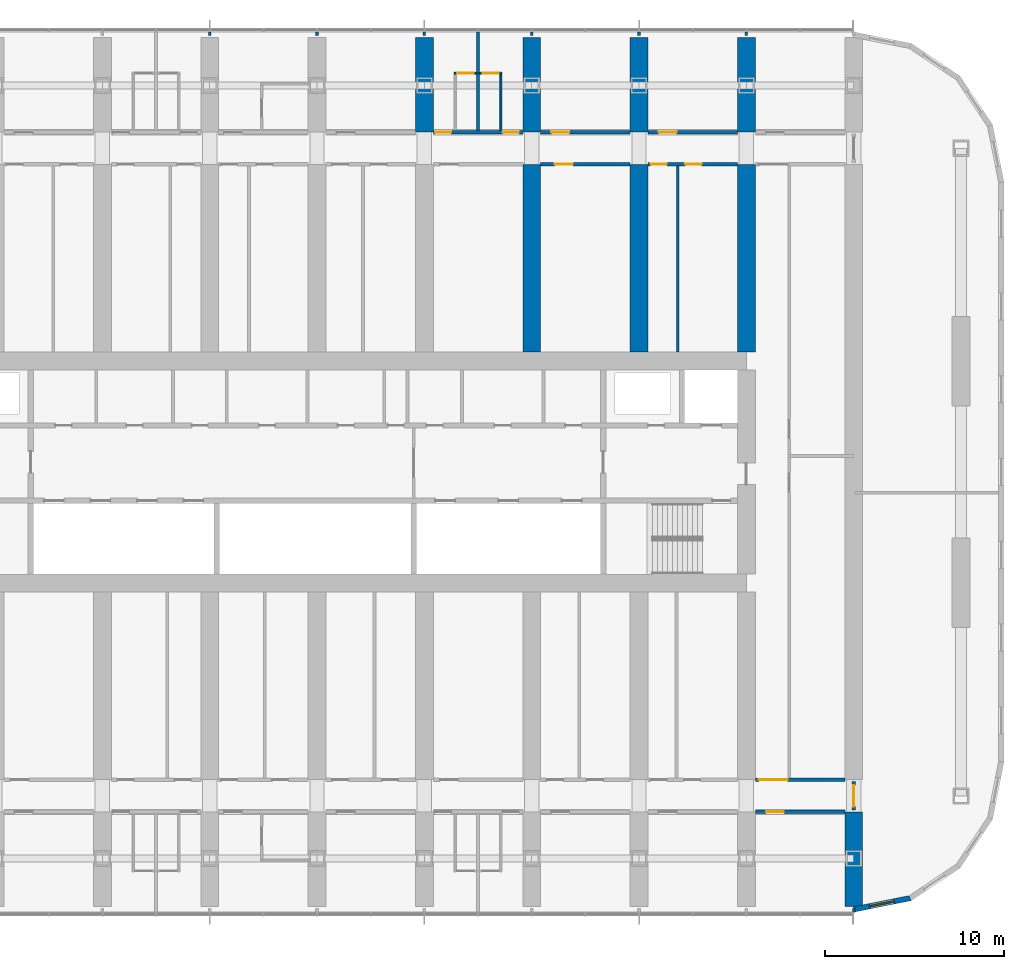
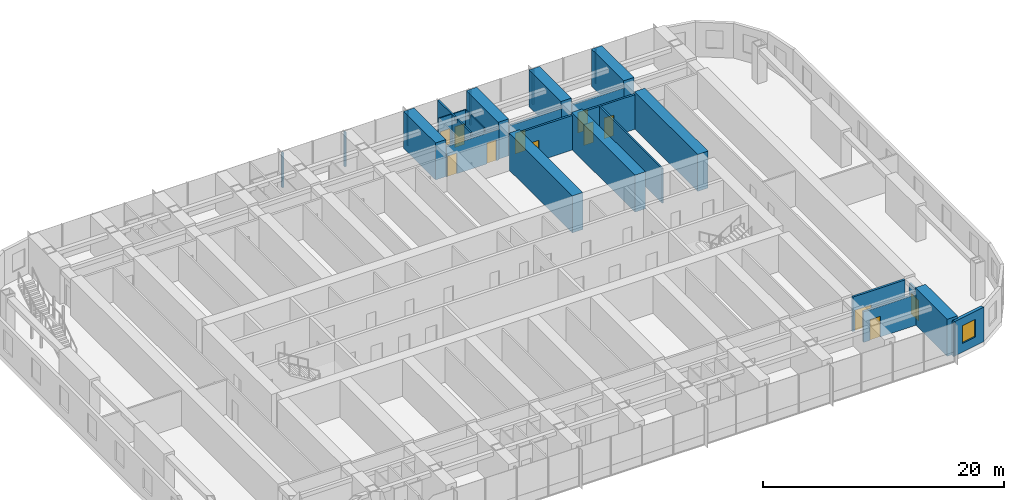
# One storey, part 18 of 26: 29 walls, 12 doors, 1 window, 13 openings.
"""IFC4 building model written with IfcOpenShell, lengths in metres."""

from ifc_helpers import new_model, si_unit, direction, frame, frame_2d, origin, place, context, subcontext, project, spatial, polyline, rectangle, outline, extrude, material, layer, layer_set, type_object, element, fill, save


model = new_model("IFC4")

# Units and contexts
model_context = context("Model", 3, precision=1e-05, world=origin(), true_north=direction((0.0, 1.0)))
body_context = subcontext(model_context, "Body", "Model", "MODEL_VIEW")
ifc_project = project(units=[si_unit("LENGTHUNIT", "METRE"), si_unit("AREAUNIT", "SQUARE_METRE"), si_unit("VOLUMEUNIT", "CUBIC_METRE"), si_unit("PLANEANGLEUNIT", "RADIAN"), si_unit("MASSUNIT", "GRAM", prefix="KILO")], contexts=[model_context])

# Site, building, storey
site_placement = place(None, origin())
site = spatial("IfcSite", under=ifc_project, at=site_placement, CompositionType="ELEMENT")
building_placement = place(site_placement, origin())
building = spatial("IfcBuilding", under=site, at=building_placement, Name="Orbita Commons", CompositionType="ELEMENT")
storey_placement = place(building_placement, frame((0.0, 0.0, 53.949951171875)))
storey = spatial("IfcBuildingStorey", under=building, at=storey_placement, Name="L13", CompositionType="ELEMENT", Elevation=53.949951171875)

# Wall, opening, door
ifc_material_1 = material(Name="Concrete blockwork", Category="masonry")
ifc_layer_1 = layer(ifc_material_1, 0.199951171875)
ifc_layer_set_1 = layer_set([ifc_layer_1], Name="Concrete blockwork")
wall_type_1 = type_object("IfcWallType", Name="Corridor wall 200 blockwork", PredefinedType="SOLIDWALL", material=ifc_layer_set_1)
wall_1_placement = place(storey_placement, frame((66.5, 13.0, 0.0), z_axis=(0.0, 0.0, 1.0), x_axis=(1.0, 0.0, 0.0)))
wall_1 = element("IfcWall", 1, at=wall_1_placement, inside=storey, type_object=wall_type_1, Name="Corridor wall 200 blockwork L13", PredefinedType="SOLIDWALL", context=body_context, shape_type="SweptSolid", body=[
    extrude(outline(polyline([(0.0, 0.0), (5.0, 0.0), (5.0, 3.10009765625), (0.0, 3.10009765625), (0.0, 0.0)])), frame((0.0, 0.10009765625, 0.0), z_axis=(0.0, -1.0, 0.0), x_axis=(1.0, 0.0, 0.0)), (0.0, 0.0, 1.0), 0.199951171875),
])
opening_1_placement = place(wall_1_placement, frame((0.60009765625, 0.0, 0.0)))
opening_1 = element("IfcOpeningElement", 2, at=opening_1_placement, cuts=wall_1, Name="Opening D06", PredefinedType="OPENING", context=body_context, shape_type="SweptSolid", body=[
    extrude(rectangle(XDim=1.0, YDim=2.10009765625, at=frame_2d((0.5, 1.050048828125))), frame((0.0, 0.10986328125, 0.0), z_axis=(0.0, -1.0, 0.0), x_axis=(1.0, 0.0, 0.0)), (0.0, 0.0, 1.0), 0.219970703125),
])
ifc_material_2 = material(Name="Steel-faced fire door leaf", Category="steel")
door_type_1 = type_object("IfcDoorType", Name="Corridor door 20 min 1000x2100", OperationType="SINGLE_SWING_LEFT", PredefinedType="DOOR", material=ifc_material_2)
door_1_placement = place(opening_1_placement, origin())
door_1 = element("IfcDoor", 3, at=door_1_placement, inside=storey, type_object=door_type_1, Name="House study room L13-S18 door", OperationType="SINGLE_SWING_LEFT", OverallHeight=2.10009765625, OverallWidth=1.0, PredefinedType="DOOR", context=body_context, shape_type="SweptSolid", body=[
    extrude(rectangle(XDim=1.0, YDim=2.10009765625, at=frame_2d((0.5, 1.050048828125))), frame((0.0, 0.02490234375, 0.0), z_axis=(0.0, -1.0, 0.0), x_axis=(1.0, 0.0, 0.0)), (0.0, 0.0, 1.0), 0.050048828125),
])
fill(opening_1, door_1)

# Wall, openings, doors
wall_2_placement = place(storey_placement, frame((48.5, 51.0, 0.0), z_axis=(0.0, 0.0, 1.0), x_axis=(1.0, 0.0, 0.0)))
wall_2 = element("IfcWall", 4, at=wall_2_placement, inside=storey, type_object=wall_type_1, Name="Corridor wall 200 blockwork L13", PredefinedType="SOLIDWALL", context=body_context, shape_type="SweptSolid", body=[
    extrude(outline(polyline([(0.0, 0.0), (5.0, 0.0), (5.0, 3.10009765625), (0.0, 3.10009765625), (0.0, 0.0)])), frame((0.0, 0.10009765625, 0.0), z_axis=(0.0, -1.0, 0.0), x_axis=(1.0, 0.0, 0.0)), (0.0, 0.0, 1.0), 0.199951171875),
])
opening_2_placement = place(wall_2_placement, frame((0.10009765625, 0.0, 0.0)))
opening_2 = element("IfcOpeningElement", 5, at=opening_2_placement, cuts=wall_2, Name="Opening D11", PredefinedType="OPENING", context=body_context, shape_type="SweptSolid", body=[
    extrude(rectangle(XDim=0.89990234375, YDim=2.10009765625, at=frame_2d((0.449951171875, 1.050048828125))), frame((0.0, 0.10986328125, 0.0), z_axis=(0.0, -1.0, 0.0), x_axis=(1.0, 0.0, 0.0)), (0.0, 0.0, 1.0), 0.219970703125),
])
opening_3_placement = place(wall_2_placement, frame((3.875, 0.0, 0.0)))
opening_3 = element("IfcOpeningElement", 6, at=opening_3_placement, cuts=wall_2, Name="Opening D11", PredefinedType="OPENING", context=body_context, shape_type="SweptSolid", body=[
    extrude(rectangle(XDim=0.89990234375, YDim=2.10009765625, at=frame_2d((0.449951171875, 1.050048828125))), frame((0.0, 0.10986328125, 0.0), z_axis=(0.0, -1.0, 0.0), x_axis=(1.0, 0.0, 0.0)), (0.0, 0.0, 1.0), 0.219970703125),
])
ifc_material_3 = material(Name="Steel-faced fire door leaf", Category="steel")
door_type_2 = type_object("IfcDoorType", Name="Corridor door 20 min 900x2100", OperationType="SINGLE_SWING_LEFT", PredefinedType="DOOR", material=ifc_material_3)
door_2_placement = place(opening_2_placement, origin())
door_2 = element("IfcDoor", 7, at=door_2_placement, inside=storey, type_object=door_type_2, Name="House bedroom L13-N12 door", OperationType="SINGLE_SWING_LEFT", OverallHeight=2.10009765625, OverallWidth=0.89990234375, PredefinedType="DOOR", context=body_context, shape_type="SweptSolid", body=[
    extrude(rectangle(XDim=0.89990234375, YDim=2.10009765625, at=frame_2d((0.449951171875, 1.050048828125))), frame((0.0, 0.02490234375, 0.0), z_axis=(0.0, -1.0, 0.0), x_axis=(1.0, 0.0, 0.0)), (0.0, 0.0, 1.0), 0.050048828125),
])
fill(opening_2, door_2)
door_3_placement = place(opening_3_placement, origin())
door_3 = element("IfcDoor", 8, at=door_3_placement, inside=storey, type_object=door_type_2, Name="House bedroom L13-N13 door", OperationType="SINGLE_SWING_LEFT", OverallHeight=2.10009765625, OverallWidth=0.89990234375, PredefinedType="DOOR", context=body_context, shape_type="SweptSolid", body=[
    extrude(rectangle(XDim=0.89990234375, YDim=2.10009765625, at=frame_2d((0.449951171875, 1.050048828125))), frame((0.0, 0.02490234375, 0.0), z_axis=(0.0, -1.0, 0.0), x_axis=(1.0, 0.0, 0.0)), (0.0, 0.0, 1.0), 0.050048828125),
])
fill(opening_3, door_3)

# Wall, opening, door
wall_3_placement = place(storey_placement, frame((54.5, 51.0, 0.0), z_axis=(0.0, 0.0, 1.0), x_axis=(1.0, 0.0, 0.0)))
wall_3 = element("IfcWall", 9, at=wall_3_placement, inside=storey, type_object=wall_type_1, Name="Corridor wall 200 blockwork L13", PredefinedType="SOLIDWALL", context=body_context, shape_type="SweptSolid", body=[
    extrude(outline(polyline([(0.0, 0.0), (5.0, 0.0), (5.0, 3.10009765625), (0.0, 3.10009765625), (0.0, 0.0)])), frame((0.0, 0.10009765625, 0.0), z_axis=(0.0, -1.0, 0.0), x_axis=(1.0, 0.0, 0.0)), (0.0, 0.0, 1.0), 0.199951171875),
])
opening_4_placement = place(wall_3_placement, frame((0.60009765625, 0.0, 0.0)))
opening_4 = element("IfcOpeningElement", 10, at=opening_4_placement, cuts=wall_3, Name="Opening D06", PredefinedType="OPENING", context=body_context, shape_type="SweptSolid", body=[
    extrude(rectangle(XDim=1.0, YDim=2.10009765625, at=frame_2d((0.5, 1.050048828125))), frame((0.0, 0.10986328125, 0.0), z_axis=(0.0, -1.0, 0.0), x_axis=(1.0, 0.0, 0.0)), (0.0, 0.0, 1.0), 0.219970703125),
])
door_4_placement = place(opening_4_placement, origin())
door_4 = element("IfcDoor", 11, at=door_4_placement, inside=storey, type_object=door_type_1, Name="House common room L13-N14 door", OperationType="SINGLE_SWING_LEFT", OverallHeight=2.10009765625, OverallWidth=1.0, PredefinedType="DOOR", context=body_context, shape_type="SweptSolid", body=[
    extrude(rectangle(XDim=1.0, YDim=2.10009765625, at=frame_2d((0.5, 1.050048828125))), frame((0.0, 0.02490234375, 0.0), z_axis=(0.0, -1.0, 0.0), x_axis=(1.0, 0.0, 0.0)), (0.0, 0.0, 1.0), 0.050048828125),
])
fill(opening_4, door_4)

wall_4_placement = place(storey_placement, frame((60.5, 51.0, 0.0), z_axis=(0.0, 0.0, 1.0), x_axis=(1.0, 0.0, 0.0)))
wall_4 = element("IfcWall", 12, at=wall_4_placement, inside=storey, type_object=wall_type_1, Name="Corridor wall 200 blockwork L13", PredefinedType="SOLIDWALL", context=body_context, shape_type="SweptSolid", body=[
    extrude(outline(polyline([(0.0, 0.0), (5.0, 0.0), (5.0, 3.10009765625), (0.0, 3.10009765625), (0.0, 0.0)])), frame((0.0, 0.10009765625, 0.0), z_axis=(0.0, -1.0, 0.0), x_axis=(1.0, 0.0, 0.0)), (0.0, 0.0, 1.0), 0.199951171875),
])
opening_5_placement = place(wall_4_placement, frame((0.60009765625, 0.0, 0.0)))
opening_5 = element("IfcOpeningElement", 13, at=opening_5_placement, cuts=wall_4, Name="Opening D06", PredefinedType="OPENING", context=body_context, shape_type="SweptSolid", body=[
    extrude(rectangle(XDim=1.0, YDim=2.10009765625, at=frame_2d((0.5, 1.050048828125))), frame((0.0, 0.10986328125, 0.0), z_axis=(0.0, -1.0, 0.0), x_axis=(1.0, 0.0, 0.0)), (0.0, 0.0, 1.0), 0.219970703125),
])
door_5_placement = place(opening_5_placement, origin())
door_5 = element("IfcDoor", 14, at=door_5_placement, inside=storey, type_object=door_type_1, Name="House kitchen-diner L13-N16 door", OperationType="SINGLE_SWING_LEFT", OverallHeight=2.10009765625, OverallWidth=1.0, PredefinedType="DOOR", context=body_context, shape_type="SweptSolid", body=[
    extrude(rectangle(XDim=1.0, YDim=2.10009765625, at=frame_2d((0.5, 1.050048828125))), frame((0.0, 0.02490234375, 0.0), z_axis=(0.0, -1.0, 0.0), x_axis=(1.0, 0.0, 0.0)), (0.0, 0.0, 1.0), 0.050048828125),
])
fill(opening_5, door_5)

wall_5_placement = place(storey_placement, frame((72.0, 13.10009765625, 0.0), z_axis=(0.0, 0.0, 1.0), x_axis=(0.0, 1.0, 0.0)))
wall_5 = element("IfcWall", 15, at=wall_5_placement, inside=storey, type_object=wall_type_1, Name="Corridor wall 200 blockwork L13", PredefinedType="SOLIDWALL", context=body_context, shape_type="SweptSolid", body=[
    extrude(outline(polyline([(0.0, 0.0), (1.599853515625, 0.0), (1.60009765625, 3.050048828125), (0.0, 3.050048828125), (0.0, 0.0)])), frame((0.0, 0.10009765625, 0.0), z_axis=(0.0, -1.0, 0.0), x_axis=(1.0, 0.0, 0.0)), (0.0, 0.0, 1.0), 0.199951171875),
])
opening_6_placement = place(wall_5_placement, frame((0.199951171875, 0.0, 0.0)))
opening_6 = element("IfcOpeningElement", 16, at=opening_6_placement, cuts=wall_5, Name="Opening D12", PredefinedType="OPENING", context=body_context, shape_type="SweptSolid", body=[
    extrude(rectangle(XDim=1.199951171875, YDim=2.10009765625, at=frame_2d((0.60009765625, 1.050048828125))), frame((0.0, 0.10986328125, 0.0), z_axis=(0.0, -1.0, 0.0), x_axis=(1.0, 0.0, 0.0)), (0.0, 0.0, 1.0), 0.219970703125),
])
ifc_material_4 = material(Name="Steel-faced fire door leaf", Category="steel")
door_type_3 = type_object("IfcDoorType", Name="Double corridor door 20 min 1200x2100", OperationType="DOUBLE_DOOR_SINGLE_SWING", PredefinedType="DOOR", material=ifc_material_4)
door_6_placement = place(opening_6_placement, origin())
door_6 = element("IfcDoor", 17, at=door_6_placement, inside=storey, type_object=door_type_3, Name="Lounge doors", OperationType="DOUBLE_DOOR_SINGLE_SWING", OverallHeight=2.10009765625, OverallWidth=1.199951171875, PredefinedType="DOOR", context=body_context, shape_type="SweptSolid", body=[
    extrude(rectangle(XDim=1.199951171875, YDim=2.10009765625, at=frame_2d((0.60009765625, 1.050048828125))), frame((0.0, 0.02490234375, 0.0), z_axis=(0.0, -1.0, 0.0), x_axis=(1.0, 0.0, 0.0)), (0.0, 0.0, 1.0), 0.050048828125),
])
fill(opening_6, door_6)

ifc_material_5 = material(Name="Hollow concrete block 200", Category="concrete")
ifc_layer_2 = layer(ifc_material_5, 0.199951171875)
ifc_layer_set_2 = layer_set([ifc_layer_2], Name="Hollow concrete block 200")
wall_type_2 = type_object("IfcWallType", Name="Corridor wall 200 hollow concrete block", PredefinedType="SOLIDWALL", material=ifc_layer_set_2)
wall_6_placement = place(storey_placement, frame((66.5, 14.800048828125, 0.0), z_axis=(0.0, 0.0, 1.0), x_axis=(1.0, 0.0, 0.0)))
wall_6 = element("IfcWall", 18, at=wall_6_placement, inside=storey, type_object=wall_type_2, Name="Corridor wall 200 hollow concrete block L13", PredefinedType="SOLIDWALL", context=body_context, shape_type="SweptSolid", body=[
    extrude(rectangle(XDim=5.0, YDim=0.199951171875, at=frame_2d((2.5, 0.0))), origin(), (0.0, 0.0, 1.0), 3.5),
])
opening_7_placement = place(wall_6_placement, frame((0.199951171875, 0.0, 0.0)))
opening_7 = element("IfcOpeningElement", 19, at=opening_7_placement, cuts=wall_6, Name="Opening D10", PredefinedType="OPENING", context=body_context, shape_type="SweptSolid", body=[
    extrude(rectangle(XDim=1.60009765625, YDim=2.10009765625, at=frame_2d((0.800048828125, 1.050048828125))), frame((0.0, 0.10986328125, 0.0), z_axis=(0.0, -1.0, 0.0), x_axis=(1.0, 0.0, 0.0)), (0.0, 0.0, 1.0), 0.219970703125),
])
ifc_material_6 = material(Name="Steel-faced fire door leaf", Category="steel")
door_type_4 = type_object("IfcDoorType", Name="Double corridor door 20 min 1600x2100", OperationType="DOUBLE_DOOR_SINGLE_SWING", PredefinedType="DOOR", material=ifc_material_6)
door_7_placement = place(opening_7_placement, origin())
door_7 = element("IfcDoor", 20, at=door_7_placement, inside=storey, type_object=door_type_4, Name="Cross corridor doors", OperationType="DOUBLE_DOOR_SINGLE_SWING", OverallHeight=2.10009765625, OverallWidth=1.60009765625, PredefinedType="DOOR", context=body_context, shape_type="SweptSolid", body=[
    extrude(rectangle(XDim=1.60009765625, YDim=2.10009765625, at=frame_2d((0.800048828125, 1.050048828125))), frame((0.0, 0.02490234375, 0.0), z_axis=(0.0, -1.0, 0.0), x_axis=(1.0, 0.0, 0.0)), (0.0, 0.0, 1.0), 0.050048828125),
])
fill(opening_7, door_7)

wall_7_placement = place(storey_placement, frame((54.5, 49.199951171875, 0.0), z_axis=(0.0, 0.0, 1.0), x_axis=(1.0, 0.0, 0.0)))
wall_7 = element("IfcWall", 21, at=wall_7_placement, inside=storey, type_object=wall_type_2, Name="Corridor wall 200 hollow concrete block L13", PredefinedType="SOLIDWALL", context=body_context, shape_type="SweptSolid", body=[
    extrude(rectangle(XDim=5.0, YDim=0.199951171875, at=frame_2d((2.5, 0.0))), origin(), (0.0, 0.0, 1.0), 3.5),
])
opening_8_placement = place(wall_7_placement, frame((0.800048828125, 0.0, 0.0)))
opening_8 = element("IfcOpeningElement", 22, at=opening_8_placement, cuts=wall_7, Name="Opening D06", PredefinedType="OPENING", context=body_context, shape_type="SweptSolid", body=[
    extrude(rectangle(XDim=1.0, YDim=2.10009765625, at=frame_2d((0.5, 1.050048828125))), frame((0.0, 0.10986328125, 0.0), z_axis=(0.0, -1.0, 0.0), x_axis=(1.0, 0.0, 0.0)), (0.0, 0.0, 1.0), 0.219970703125),
])
door_8_placement = place(opening_8_placement, origin())
door_8 = element("IfcDoor", 23, at=door_8_placement, inside=storey, type_object=door_type_1, Name="Store L13-BDN54 door", OperationType="SINGLE_SWING_LEFT", OverallHeight=2.10009765625, OverallWidth=1.0, PredefinedType="DOOR", context=body_context, shape_type="SweptSolid", body=[
    extrude(rectangle(XDim=1.0, YDim=2.10009765625, at=frame_2d((0.5, 1.050048828125))), frame((0.0, 0.02490234375, 0.0), z_axis=(0.0, -1.0, 0.0), x_axis=(1.0, 0.0, 0.0)), (0.0, 0.0, 1.0), 0.050048828125),
])
fill(opening_8, door_8)

# Wall, openings, doors
wall_8_placement = place(storey_placement, frame((60.5, 49.199951171875, 0.0), z_axis=(0.0, 0.0, 1.0), x_axis=(1.0, 0.0, 0.0)))
wall_8 = element("IfcWall", 24, at=wall_8_placement, inside=storey, type_object=wall_type_2, Name="Corridor wall 200 hollow concrete block L13", PredefinedType="SOLIDWALL", context=body_context, shape_type="SweptSolid", body=[
    extrude(rectangle(XDim=5.0, YDim=0.199951171875, at=frame_2d((2.5, 0.0))), origin(), (0.0, 0.0, 1.0), 3.5),
])
opening_9_placement = place(wall_8_placement, frame((0.14990234375, 0.0, 0.0)))
opening_9 = element("IfcOpeningElement", 25, at=opening_9_placement, cuts=wall_8, Name="Opening D11", PredefinedType="OPENING", context=body_context, shape_type="SweptSolid", body=[
    extrude(rectangle(XDim=0.89990234375, YDim=2.10009765625, at=frame_2d((0.449951171875, 1.050048828125))), frame((0.0, 0.10986328125, 0.0), z_axis=(0.0, -1.0, 0.0), x_axis=(1.0, 0.0, 0.0)), (0.0, 0.0, 1.0), 0.219970703125),
])
opening_10_placement = place(wall_8_placement, frame((2.090087890625, 0.0, 0.0)))
opening_10 = element("IfcOpeningElement", 26, at=opening_10_placement, cuts=wall_8, Name="Opening D11", PredefinedType="OPENING", context=body_context, shape_type="SweptSolid", body=[
    extrude(rectangle(XDim=0.89990234375, YDim=2.10009765625, at=frame_2d((0.449951171875, 1.050048828125))), frame((0.0, 0.10986328125, 0.0), z_axis=(0.0, -1.0, 0.0), x_axis=(1.0, 0.0, 0.0)), (0.0, 0.0, 1.0), 0.219970703125),
])
door_9_placement = place(opening_9_placement, origin())
door_9 = element("IfcDoor", 27, at=door_9_placement, inside=storey, type_object=door_type_2, Name="Sprinkler valve room L13-BDN60n door", OperationType="SINGLE_SWING_LEFT", OverallHeight=2.10009765625, OverallWidth=0.89990234375, PredefinedType="DOOR", context=body_context, shape_type="SweptSolid", body=[
    extrude(rectangle(XDim=0.89990234375, YDim=2.10009765625, at=frame_2d((0.449951171875, 1.050048828125))), frame((0.0, 0.02490234375, 0.0), z_axis=(0.0, -1.0, 0.0), x_axis=(1.0, 0.0, 0.0)), (0.0, 0.0, 1.0), 0.050048828125),
])
fill(opening_9, door_9)
door_10_placement = place(opening_10_placement, origin())
door_10 = element("IfcDoor", 28, at=door_10_placement, inside=storey, type_object=door_type_2, Name="Parcel and post room L13-BDN60 door", OperationType="SINGLE_SWING_LEFT", OverallHeight=2.10009765625, OverallWidth=0.89990234375, PredefinedType="DOOR", context=body_context, shape_type="SweptSolid", body=[
    extrude(rectangle(XDim=0.89990234375, YDim=2.10009765625, at=frame_2d((0.449951171875, 1.050048828125))), frame((0.0, 0.02490234375, 0.0), z_axis=(0.0, -1.0, 0.0), x_axis=(1.0, 0.0, 0.0)), (0.0, 0.0, 1.0), 0.050048828125),
])
fill(opening_10, door_10)

# Walls
ifc_material_7 = material(Name="Concrete C50/60", Category="concrete")
ifc_layer_3 = layer(ifc_material_7, 1.0)
ifc_layer_set_3 = layer_set([ifc_layer_3], Name="Concrete C50/60")
wall_type_3 = type_object("IfcWallType", Name="Cross wall 1000 C50/60", PredefinedType="SHEAR", material=ifc_layer_set_3)
for number, where, z_axis, x_axis, name in (
    (29, (48.0, 51.0, 0.0), (0.0, 0.0, 1.0), (0.0, 1.0, 0.0), "Cross wall 9 north outer L13"),
    (30, (54.0, 51.0, 0.0), (0.0, 0.0, 1.0), (0.0, 1.0, 0.0), "Cross wall 10 north outer L13"),
):
    element("IfcWall", number, at=place(storey_placement, frame(where, z_axis=z_axis, x_axis=x_axis)), inside=storey, type_object=wall_type_3, Name=name, PredefinedType="SHEAR", context=body_context, shape_type="SweptSolid", body=[
        extrude(rectangle(XDim=5.300048828125, YDim=1.0, at=frame_2d((2.64990234375, 0.0))), origin(), (0.0, 0.0, 1.0), 3.75),
    ])
wall_9_placement = place(storey_placement, frame((54.0, 38.699951171875, 0.0), z_axis=(0.0, 0.0, 1.0), x_axis=(0.0, 1.0, 0.0)))
element("IfcWall", 31, at=wall_9_placement, inside=storey, type_object=wall_type_3, Name="Cross wall 10 north inner L13", PredefinedType="SHEAR", context=body_context, shape_type="SweptSolid", body=[
    extrude(rectangle(XDim=10.5, YDim=1.0, at=frame_2d((5.25, 0.0))), origin(), (0.0, 0.0, 1.0), 3.75),
])
wall_10_placement = place(storey_placement, frame((60.0, 51.0, 0.0), z_axis=(0.0, 0.0, 1.0), x_axis=(0.0, 1.0, 0.0)))
element("IfcWall", 32, at=wall_10_placement, inside=storey, type_object=wall_type_3, Name="Cross wall 11 north outer L13", PredefinedType="SHEAR", context=body_context, shape_type="SweptSolid", body=[
    extrude(rectangle(XDim=5.300048828125, YDim=1.0, at=frame_2d((2.64990234375, 0.0))), origin(), (0.0, 0.0, 1.0), 3.75),
])
wall_11_placement = place(storey_placement, frame((60.0, 38.699951171875, 0.0), z_axis=(0.0, 0.0, 1.0), x_axis=(0.0, 1.0, 0.0)))
element("IfcWall", 33, at=wall_11_placement, inside=storey, type_object=wall_type_3, Name="Cross wall 11 north inner L13", PredefinedType="SHEAR", context=body_context, shape_type="SweptSolid", body=[
    extrude(rectangle(XDim=10.5, YDim=1.0, at=frame_2d((5.25, 0.0))), origin(), (0.0, 0.0, 1.0), 3.75),
])
wall_12_placement = place(storey_placement, frame((66.0, 51.0, 0.0), z_axis=(0.0, 0.0, 1.0), x_axis=(0.0, 1.0, 0.0)))
element("IfcWall", 34, at=wall_12_placement, inside=storey, type_object=wall_type_3, Name="Cross wall 12 north outer L13", PredefinedType="SHEAR", context=body_context, shape_type="SweptSolid", body=[
    extrude(rectangle(XDim=5.300048828125, YDim=1.0, at=frame_2d((2.64990234375, 0.0))), origin(), (0.0, 0.0, 1.0), 3.75),
])
wall_13_placement = place(storey_placement, frame((66.0, 38.699951171875, 0.0), z_axis=(0.0, 0.0, 1.0), x_axis=(0.0, 1.0, 0.0)))
element("IfcWall", 35, at=wall_13_placement, inside=storey, type_object=wall_type_3, Name="Cross wall 12 north inner L13", PredefinedType="SHEAR", context=body_context, shape_type="SweptSolid", body=[
    extrude(rectangle(XDim=10.5, YDim=1.0, at=frame_2d((5.25, 0.0))), origin(), (0.0, 0.0, 1.0), 3.75),
])
wall_14_placement = place(storey_placement, frame((72.0, 7.699951171875, 0.0), z_axis=(0.0, 0.0, 1.0), x_axis=(0.0, 1.0, 0.0)))
element("IfcWall", 36, at=wall_14_placement, inside=storey, type_object=wall_type_3, Name="Cross wall 13 south outer L13", PredefinedType="SHEAR", context=body_context, shape_type="SweptSolid", body=[
    extrude(rectangle(XDim=5.300048828125, YDim=1.0, at=frame_2d((2.64990234375, 0.0))), origin(), (0.0, 0.0, 1.0), 3.75),
])

# Wall, opening, door
ifc_material_8 = material(Name="Moisture-resistant plasterboard on steel studs", Category="steel")
ifc_layer_4 = layer(ifc_material_8, 0.10009765625)
ifc_layer_set_4 = layer_set([ifc_layer_4], Name="Moisture-resistant plasterboard on steel studs")
wall_type_4 = type_object("IfcWallType", Name="En-suite partition 100", PredefinedType="PARTITIONING", material=ifc_layer_set_4)
wall_15_placement = place(storey_placement, frame((49.675048828125, 54.300048828125, 0.0), z_axis=(0.0, 0.0, 1.0), x_axis=(1.0, 0.0, 0.0)))
wall_15 = element("IfcWall", 37, at=wall_15_placement, inside=storey, type_object=wall_type_4, Name="En-suite partition 100 L13", PredefinedType="PARTITIONING", context=body_context, shape_type="SweptSolid", body=[
    extrude(rectangle(XDim=1.25, YDim=0.10009765625, at=frame_2d((0.625, 0.0))), origin(), (0.0, 0.0, 1.0), 3.5),
])
opening_11_placement = place(wall_15_placement, frame((0.175048828125, 0.0, 0.0)))
opening_11 = element("IfcOpeningElement", 38, at=opening_11_placement, cuts=wall_15, Name="Opening D09", PredefinedType="OPENING", context=body_context, shape_type="SweptSolid", body=[
    extrude(rectangle(XDim=0.89990234375, YDim=2.10009765625, at=frame_2d((0.449951171875, 1.050048828125))), frame((0.0, 0.06005859375, 0.0), z_axis=(0.0, -1.0, 0.0), x_axis=(1.0, 0.0, 0.0)), (0.0, 0.0, 1.0), 0.1201171875),
])
ifc_material_9 = material(Name="Laminated timber door leaf", Category="wood")
door_type_5 = type_object("IfcDoorType", Name="En-suite door 900x2100", OperationType="SINGLE_SWING_RIGHT", PredefinedType="DOOR", material=ifc_material_9)
door_11_placement = place(opening_11_placement, origin())
door_11 = element("IfcDoor", 39, at=door_11_placement, inside=storey, type_object=door_type_5, Name="En-suite L13-N12 door", OperationType="SINGLE_SWING_RIGHT", OverallHeight=2.10009765625, OverallWidth=0.89990234375, PredefinedType="DOOR", context=body_context, shape_type="SweptSolid", body=[
    extrude(rectangle(XDim=0.89990234375, YDim=2.10009765625, at=frame_2d((0.449951171875, 1.050048828125))), frame((0.0, 0.02490234375, 0.0), z_axis=(0.0, -1.0, 0.0), x_axis=(1.0, 0.0, 0.0)), (0.0, 0.0, 1.0), 0.050048828125),
])
fill(opening_11, door_11)

wall_16_placement = place(storey_placement, frame((51.074951171875, 54.300048828125, 0.0), z_axis=(0.0, 0.0, 1.0), x_axis=(1.0, 0.0, 0.0)))
wall_16 = element("IfcWall", 40, at=wall_16_placement, inside=storey, type_object=wall_type_4, Name="En-suite partition 100 L13", PredefinedType="PARTITIONING", context=body_context, shape_type="SweptSolid", body=[
    extrude(rectangle(XDim=1.25, YDim=0.10009765625, at=frame_2d((0.625, 0.0))), origin(), (0.0, 0.0, 1.0), 3.5),
])
opening_12_placement = place(wall_16_placement, frame((0.175048828125, 0.0, 0.0)))
opening_12 = element("IfcOpeningElement", 41, at=opening_12_placement, cuts=wall_16, Name="Opening D09", PredefinedType="OPENING", context=body_context, shape_type="SweptSolid", body=[
    extrude(rectangle(XDim=0.89990234375, YDim=2.10009765625, at=frame_2d((0.449951171875, 1.050048828125))), frame((0.0, 0.06005859375, 0.0), z_axis=(0.0, -1.0, 0.0), x_axis=(1.0, 0.0, 0.0)), (0.0, 0.0, 1.0), 0.1201171875),
])
door_12_placement = place(opening_12_placement, origin())
door_12 = element("IfcDoor", 42, at=door_12_placement, inside=storey, type_object=door_type_5, Name="En-suite L13-N13 door", OperationType="SINGLE_SWING_RIGHT", OverallHeight=2.10009765625, OverallWidth=0.89990234375, PredefinedType="DOOR", context=body_context, shape_type="SweptSolid", body=[
    extrude(rectangle(XDim=0.89990234375, YDim=2.10009765625, at=frame_2d((0.449951171875, 1.050048828125))), frame((0.0, 0.02490234375, 0.0), z_axis=(0.0, -1.0, 0.0), x_axis=(1.0, 0.0, 0.0)), (0.0, 0.0, 1.0), 0.050048828125),
])
fill(opening_12, door_12)

# Walls
wall_17_placement = place(storey_placement, frame((52.27490234375, 54.25, 0.0), z_axis=(0.0, 0.0, 1.0), x_axis=(0.0, -1.0, 0.0)))
element("IfcWall", 43, at=wall_17_placement, inside=storey, type_object=wall_type_4, Name="En-suite partition 100 L13", PredefinedType="PARTITIONING", context=body_context, shape_type="SweptSolid", body=[
    extrude(outline(polyline([(0.0, 0.0), (3.14990234375, 0.0), (3.14990234375, 3.10009765625), (3.10205078125, 3.10009765625), (3.10009765625, 3.5), (0.85205078125, 3.5), (0.85009765625, 3.10009765625), (0.451904296875, 3.10009765625), (0.449951171875, 3.5), (0.0, 3.5), (0.0, 0.0)])), frame((0.0, 0.050048828125, 0.0), z_axis=(0.0, -1.0, 0.0), x_axis=(1.0, 0.0, 0.0)), (0.0, 0.0, 1.0), 0.10009765625),
])
ifc_material_10 = material(Name="Gypsum plasterboard on steel studs", Category="steel")
ifc_layer_5 = layer(ifc_material_10, 0.14990234375)
ifc_layer_set_5 = layer_set([ifc_layer_5], Name="Gypsum plasterboard on steel studs")
wall_type_5 = type_object("IfcWallType", Name="Partition 150 plasterboard", PredefinedType="PARTITIONING", material=ifc_layer_set_5)
wall_18_placement = place(storey_placement, frame((62.1650390625, 38.699951171875, 0.0), z_axis=(0.0, 0.0, 1.0), x_axis=(0.0, 1.0, 0.0)))
element("IfcWall", 44, at=wall_18_placement, inside=storey, type_object=wall_type_5, Name="Partition 150 plasterboard L13", PredefinedType="PARTITIONING", context=body_context, shape_type="SweptSolid", body=[
    extrude(rectangle(XDim=10.400146484375, YDim=0.14990234375, at=frame_2d((5.2001953125, 0.0))), origin(), (0.0, 0.0, 1.0), 3.5),
])
for number, where, z_axis, x_axis, name in (
    (45, (36.0, 56.39990234375, 0.0), (0.0, 0.0, 1.0), (0.0, 1.0, 0.0), "Partition 150 plasterboard L13"),
    (46, (42.0, 56.39990234375, 0.0), (0.0, 0.0, 1.0), (0.0, 1.0, 0.0), "Partition 150 plasterboard L13"),
    (47, (48.0, 56.39990234375, 0.0), (0.0, 0.0, 1.0), (0.0, 1.0, 0.0), "Partition 150 plasterboard L13"),
    (48, (54.0, 56.39990234375, 0.0), (0.0, 0.0, 1.0), (0.0, 1.0, 0.0), "Partition 150 plasterboard L13"),
    (49, (60.0, 56.39990234375, 0.0), (0.0, 0.0, 1.0), (0.0, 1.0, 0.0), "Partition 150 plasterboard L13"),
    (50, (66.0, 56.39990234375, 0.0), (0.0, 0.0, 1.0), (0.0, 1.0, 0.0), "Partition 150 plasterboard L13"),
):
    element("IfcWall", number, at=place(storey_placement, frame(where, z_axis=z_axis, x_axis=x_axis)), inside=storey, type_object=wall_type_5, Name=name, PredefinedType="PARTITIONING", context=body_context, shape_type="SweptSolid", body=[
        extrude(rectangle(XDim=0.190185546875, YDim=0.14990234375, at=frame_2d((0.09521484375, 0.0))), origin(), (0.0, 0.0, 1.0), 3.5),
    ])
wall_19_placement = place(storey_placement, frame((72.0, 7.60009765625, 0.0), z_axis=(0.0, 0.0, 1.0), x_axis=(0.0, -1.0, 0.0)))
element("IfcWall", 51, at=wall_19_placement, inside=storey, type_object=wall_type_5, Name="Partition 150 plasterboard L13", PredefinedType="PARTITIONING", context=body_context, shape_type="SweptSolid", body=[
    extrude(rectangle(XDim=0.22021484375, YDim=0.14990234375, at=frame_2d((0.110107421875, 0.0))), origin(), (0.0, 0.0, 1.0), 3.5),
])
ifc_material_11 = material(Name="Gypsum plasterboard on steel studs", Category="steel")
ifc_layer_6 = layer(ifc_material_11, 0.14990234375)
ifc_layer_set_6 = layer_set([ifc_layer_6], Name="Gypsum plasterboard on steel studs")
wall_type_6 = type_object("IfcWallType", Name="Party wall 150 plasterboard", PredefinedType="PARTITIONING", material=ifc_layer_set_6)
wall_20_placement = place(storey_placement, frame((51.0, 56.590087890625, 0.0), z_axis=(0.0, 0.0, 1.0), x_axis=(0.0, -1.0, 0.0)))
element("IfcWall", 52, at=wall_20_placement, inside=storey, type_object=wall_type_6, Name="Party wall 150 plasterboard L13", PredefinedType="PARTITIONING", context=body_context, shape_type="SweptSolid", body=[
    extrude(outline(polyline([(0.0, 0.0), (5.489990234375, 0.0), (5.489990234375, 3.10009765625), (5.44189453125, 3.10009765625), (5.43994140625, 3.5), (3.19189453125, 3.5), (3.18994140625, 3.10009765625), (2.7919921875, 3.10009765625), (2.7900390625, 3.5), (0.0, 3.5), (0.0, 0.0)])), frame((0.0, 0.074951171875, 0.0), z_axis=(0.0, -1.0, 0.0), x_axis=(1.0, 0.0, 0.0)), (0.0, 0.0, 1.0), 0.14990234375),
])

# Wall, opening, window
ifc_material_12 = material(Name="Precast concrete C40/50, white board-marked finish", Category="concrete")
ifc_layer_7 = layer(ifc_material_12, 0.300048828125)
ifc_layer_set_7 = layer_set([ifc_layer_7], Name="Precast concrete C40/50, white board-marked finish")
wall_type_7 = type_object("IfcWallType", Name="Precast concrete end shield 300", PredefinedType="SOLIDWALL", material=ifc_layer_set_7)
wall_21_placement = place(storey_placement, frame((72.0, 7.550048828125, 0.0), z_axis=(0.0, 0.0, 1.0), x_axis=(0.980787251524, 0.195080412259, 0.0)))
wall_21 = element("IfcWall", 53, at=wall_21_placement, inside=storey, type_object=wall_type_7, Name="End shield SE chord 1 L13", PredefinedType="SOLIDWALL", context=body_context, shape_type="SweptSolid", body=[
    extrude(outline(polyline([(-0.02978515625, -0.14990234375), (3.24853515625, -0.14990234375), (3.18896484375, 0.14990234375), (0.02978515625, 0.14990234375), (-0.02978515625, -0.14990234375)])), origin(), (0.0, 0.0, 1.0), 3.5),
])
opening_13_placement = place(wall_21_placement, frame((0.909423828125, 0.0, 0.89990234375)))
opening_13 = element("IfcOpeningElement", 54, at=opening_13_placement, cuts=wall_21, Name="Opening W02", PredefinedType="OPENING", context=body_context, shape_type="SweptSolid", body=[
    extrude(rectangle(XDim=1.39990234375, YDim=1.800048828125, at=frame_2d((0.699951171875, 0.89990234375))), frame((0.0, 0.159912109375, 0.0), z_axis=(0.0, -1.0, 0.0), x_axis=(1.0, 0.0, 0.0)), (0.0, 0.0, 1.0), 0.320068359375),
])
ifc_material_13 = material(Name="Aluminium frame, clear double glazing", Category="aluminium")
window_type = type_object("IfcWindowType", Name="Deep-set window 1400x1800", PartitioningType="SINGLE_PANEL", PredefinedType="WINDOW", material=ifc_material_13)
window_placement = place(opening_13_placement, origin())
window = element("IfcWindow", 55, at=window_placement, inside=storey, type_object=window_type, Name="Window L13-SE0", OverallHeight=1.800048828125, OverallWidth=1.39990234375, PartitioningType="SINGLE_PANEL", PredefinedType="WINDOW", context=body_context, shape_type="SweptSolid", body=[
    extrude(rectangle(XDim=1.39990234375, YDim=1.800048828125, at=frame_2d((0.699951171875, 0.89990234375))), frame((0.0, 0.030029296875, 0.0), z_axis=(0.0, -1.0, 0.0), x_axis=(1.0, 0.0, 0.0)), (0.0, 0.0, 1.0), 0.06005859375),
])
fill(opening_13, window)

save(model, "model.ifc")
